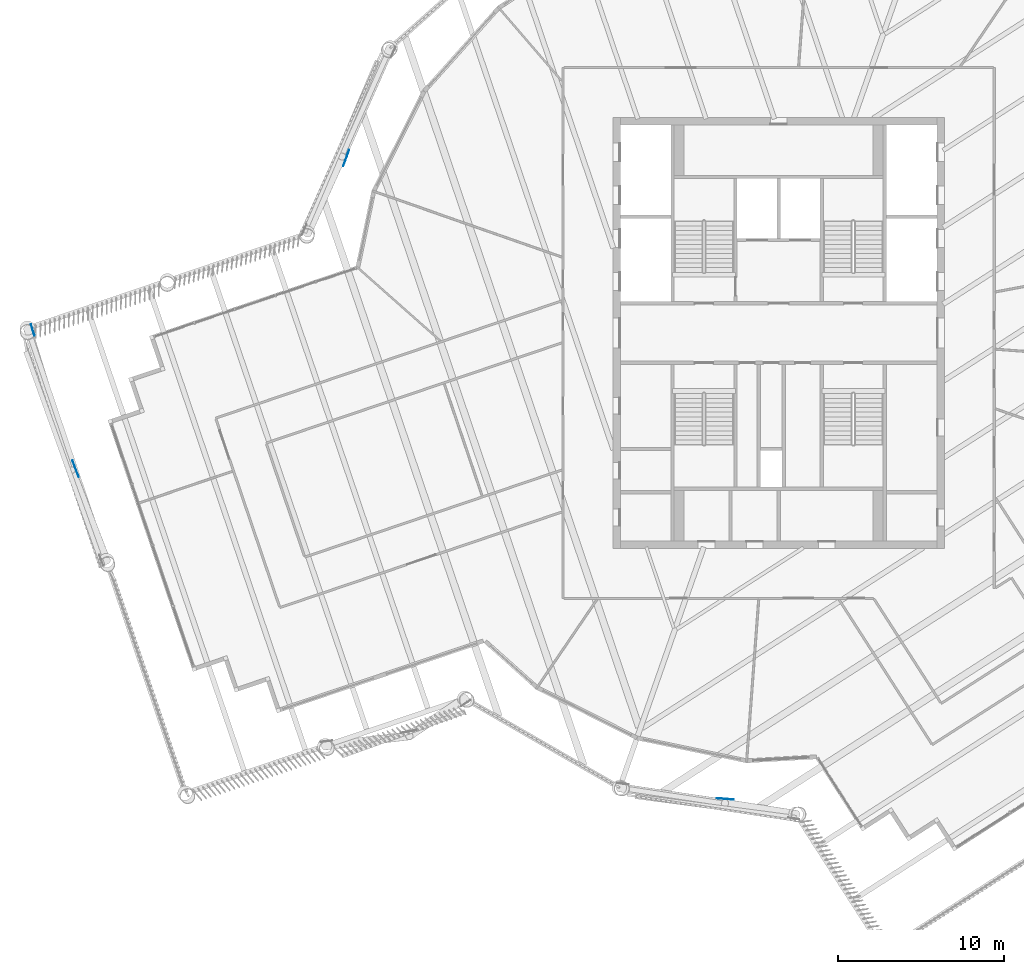
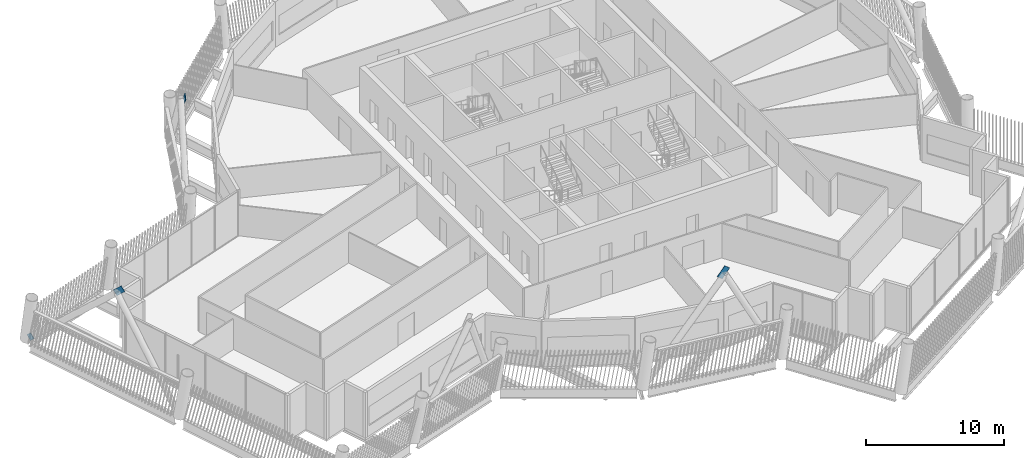
# One storey, part 21 of 35: 4 discrete accessories.
"""IFC4 building model written with IfcOpenShell, lengths in metres."""

from ifc_helpers import new_model, si_unit, direction, frame, origin, origin_2d, place, context, subcontext, project, spatial, rectangle, extrude, material, material_profile, profile_set, type_object, element, save


model = new_model("IFC4")

# Units and contexts
model_context = context("Model", 3, precision=1e-05, world=origin(), true_north=direction((0.0, 1.0)))
body_context = subcontext(model_context, "Body", "Model", "MODEL_VIEW")
ifc_project = project(units=[si_unit("LENGTHUNIT", "METRE"), si_unit("AREAUNIT", "SQUARE_METRE"), si_unit("VOLUMEUNIT", "CUBIC_METRE"), si_unit("PLANEANGLEUNIT", "RADIAN"), si_unit("MASSUNIT", "GRAM", prefix="KILO")], contexts=[model_context])

# Site, building, storey
site_placement = place(None, origin())
site = spatial("IfcSite", under=ifc_project, at=site_placement, CompositionType="ELEMENT")
building_placement = place(site_placement, origin())
building = spatial("IfcBuilding", under=site, at=building_placement, Name="Tarsis Ring Headquarters", CompositionType="ELEMENT")
storey_placement = place(building_placement, frame((0.0, 0.0, 360.800048828125)))
storey = spatial("IfcBuildingStorey", under=building, at=storey_placement, Name="L85", CompositionType="ELEMENT", Elevation=360.800048828125)

# Discrete accessories
ifc_material = material(Name="Structural steel S355", Category="steel")
ifc_material_profile = material_profile(ifc_material, rectangle(XDim=0.02490234375, YDim=0.5, at=origin_2d()), Name="PL 25x500")
ifc_profile_set = profile_set([ifc_material_profile], Name="Structural steel S355")
discrete_accessory_type = type_object("IfcDiscreteAccessoryType", Name="Gusset plate Exo brace 25", PredefinedType="BRACKET", material=ifc_profile_set)
for number, where, z_axis, x_axis, name in (
    (1, (-3.52001953125, -28.070556640625, 8.002685546875), (0.605290599874, -0.048589281716, 0.794520214599), (0.080016905132, 0.996793506647, 0.0), "Gusset plate GP5"),
    (2, (-25.966064453125, 10.850830078125, 8.019287109375), (-0.222646449758, -0.609104048405, 0.761196963097), (0.93922057819, -0.343314295515, 0.0), "Gusset plate GP5"),
):
    element("IfcDiscreteAccessory", number, at=place(storey_placement, frame(where, z_axis=z_axis, x_axis=x_axis)), inside=storey, type_object=discrete_accessory_type, Name=name, PredefinedType="BRACKET", context=body_context, shape_type="SweptSolid", body=[
        extrude(rectangle(XDim=0.02490234375, YDim=0.5, at=origin_2d()), origin(), (0.0, 0.0, 1.0), 1.0),
    ])
discrete_accessory_1_placement = place(storey_placement, frame((-45.03125, 0.359375, 0.0), z_axis=(0.215887519129, -0.696994320807, 0.683806621675), x_axis=(0.955227347491, 0.295872801395, 0.0)))
element("IfcDiscreteAccessory", 3, at=discrete_accessory_1_placement, inside=storey, type_object=discrete_accessory_type, Name="Gusset plate GP5", PredefinedType="BRACKET", context=body_context, shape_type="SweptSolid", body=[
    extrude(rectangle(XDim=0.02490234375, YDim=0.5, at=origin_2d()), origin(), (0.0, 0.0, 1.0), 0.499755859375),
])
discrete_accessory_2_placement = place(storey_placement, frame((-42.52001953125, -7.844970703125, 8.057861328125), z_axis=(0.26102312584, -0.68100420764, 0.684178483258), x_axis=(0.933759171395, 0.357901955619, 0.0)))
element("IfcDiscreteAccessory", 4, at=discrete_accessory_2_placement, inside=storey, type_object=discrete_accessory_type, Name="Gusset plate GP5", PredefinedType="BRACKET", context=body_context, shape_type="SweptSolid", body=[
    extrude(rectangle(XDim=0.02490234375, YDim=0.5, at=origin_2d()), origin(), (0.0, 0.0, 1.0), 0.999755859375),
])

save(model, "model.ifc")
